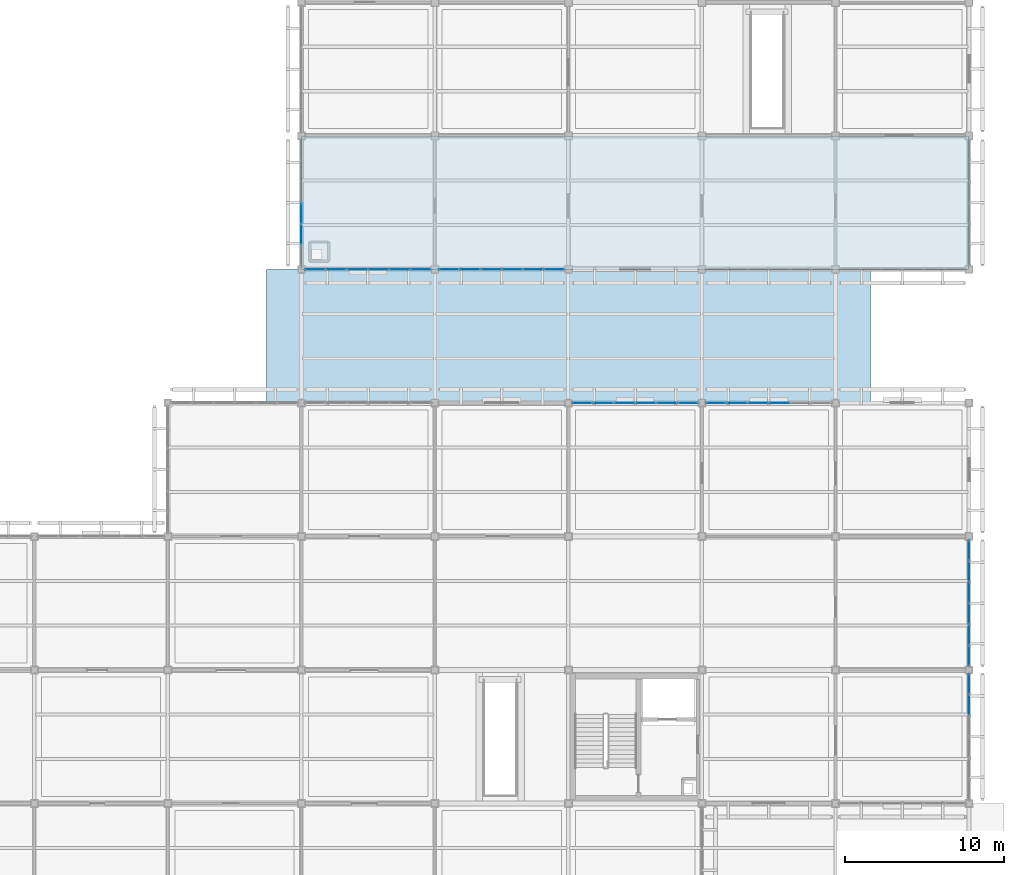
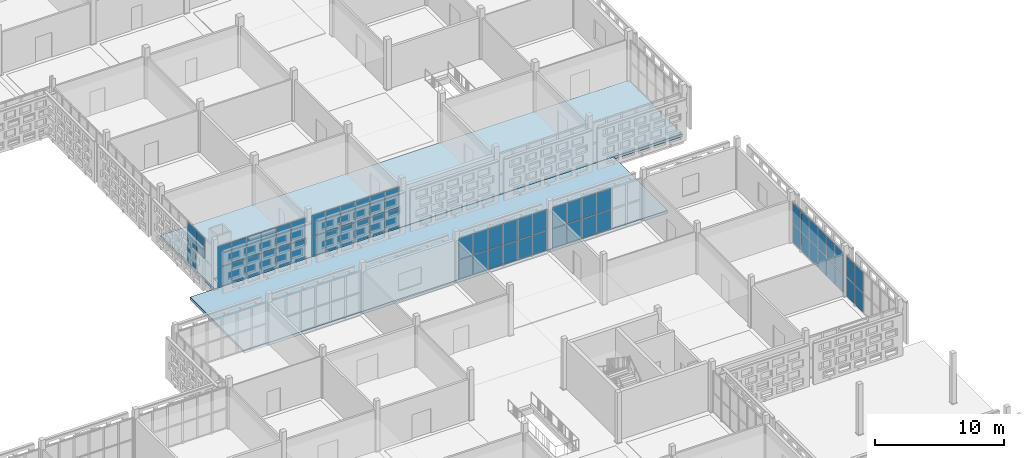
# One storey, part 104 of 203: 63 plates, 2 slabs, 7 elements without a shape of their own.
"""IFC4 building model written with IfcOpenShell, lengths in metres."""

from ifc_helpers import new_model, si_unit, direction, frame, origin, origin_2d, place, context, subcontext, project, spatial, polyline, rectangle, outline, extrude, material, layer, layer_set, type_object, element, aggregate, save


model = new_model("IFC4")

# Units and contexts
model_context = context("Model", 3, precision=1e-05, world=origin(), true_north=direction((0.0, 1.0)))
body_context = subcontext(model_context, "Body", "Model", "MODEL_VIEW")
ifc_project = project(units=[si_unit("LENGTHUNIT", "METRE"), si_unit("AREAUNIT", "SQUARE_METRE"), si_unit("VOLUMEUNIT", "CUBIC_METRE"), si_unit("PLANEANGLEUNIT", "RADIAN"), si_unit("MASSUNIT", "GRAM", prefix="KILO")], contexts=[model_context])

# Site, building, storey
site_placement = place(None, origin())
site = spatial("IfcSite", under=ifc_project, at=site_placement, CompositionType="ELEMENT")
building_placement = place(site_placement, origin())
building = spatial("IfcBuilding", under=site, at=building_placement, Name="Varnapada Polytechnic", CompositionType="ELEMENT")
storey_placement = place(building_placement, frame((0.0, 0.0, 4.800048828125)))
storey = spatial("IfcBuildingStorey", under=building, at=storey_placement, Name="L01", CompositionType="ELEMENT", Elevation=4.800048828125)

# Curtain wall, plates
ifc_material_1 = material(Name="Double low-E laminated glass", Category="glass")
ifc_layer_1 = layer(ifc_material_1, 0.159912109375)
ifc_layer_set_1 = layer_set([ifc_layer_1], Name="Double low-E laminated glass")
curtain_wall_type_1 = type_object("IfcCurtainWallType", Name="Curtain Wall CW-01", PredefinedType="NOTDEFINED", material=ifc_layer_set_1)
curtain_wall_1_placement = place(storey_placement, origin())
curtain_wall_1 = element("IfcCurtainWall", 1, at=curtain_wall_1_placement, inside=storey, type_object=curtain_wall_type_1, Name="L01 unitised curtain wall CW-01 (101)", PredefinedType="NOTDEFINED")
ifc_layer_2 = layer(ifc_material_1, 0.028076171875)
ifc_layer_set_2 = layer_set([ifc_layer_2], Name="Double low-E laminated glass")
plate_type_1 = type_object("IfcPlateType", Name="Curtain Panel PNL-01", PredefinedType="CURTAIN_PANEL", material=ifc_layer_set_2)
plate_1_placement = place(storey_placement, frame((141.899169921875, 58.800048828125, 0.06005859375), z_axis=(0.0, 0.0, 1.0), x_axis=(-1.0, 0.0, 0.0)))
plate_1 = element("IfcPlate", 2, at=plate_1_placement, type_object=plate_type_1, Name="CW-01 panel 1.1", PredefinedType="CURTAIN_PANEL", context=body_context, shape_type="SweptSolid", body=[
    extrude(rectangle(XDim=1.24169921875, YDim=0.028076171875, at=origin_2d()), origin(), (0.0, 0.0, 1.0), 1.810791015625),
])
plate_2_placement = place(storey_placement, frame((141.899169921875, 58.800048828125, 1.9306640625), z_axis=(0.0, 0.0, 1.0), x_axis=(-1.0, 0.0, 0.0)))
plate_2 = element("IfcPlate", 3, at=plate_2_placement, type_object=plate_type_1, Name="CW-01 panel 1.2", PredefinedType="CURTAIN_PANEL", context=body_context, shape_type="SweptSolid", body=[
    extrude(rectangle(XDim=1.24169921875, YDim=0.028076171875, at=origin_2d()), origin(), (0.0, 0.0, 1.0), 1.96923828125),
])
plate_3_placement = place(storey_placement, frame((140.58251953125, 58.800048828125, 0.06005859375), z_axis=(0.0, 0.0, 1.0), x_axis=(-1.0, 0.0, 0.0)))
plate_3 = element("IfcPlate", 4, at=plate_3_placement, type_object=plate_type_1, Name="CW-01 panel 2.1", PredefinedType="CURTAIN_PANEL", context=body_context, shape_type="SweptSolid", body=[
    extrude(rectangle(XDim=1.271728515625, YDim=0.028076171875, at=origin_2d()), origin(), (0.0, 0.0, 1.0), 1.810791015625),
])
plate_4_placement = place(storey_placement, frame((140.58251953125, 58.800048828125, 1.9306640625), z_axis=(0.0, 0.0, 1.0), x_axis=(-1.0, 0.0, 0.0)))
plate_4 = element("IfcPlate", 5, at=plate_4_placement, type_object=plate_type_1, Name="CW-01 panel 2.2", PredefinedType="CURTAIN_PANEL", context=body_context, shape_type="SweptSolid", body=[
    extrude(rectangle(XDim=1.271728515625, YDim=0.028076171875, at=origin_2d()), origin(), (0.0, 0.0, 1.0), 1.96923828125),
])
plate_5_placement = place(storey_placement, frame((139.250732421875, 58.800048828125, 0.06005859375), z_axis=(0.0, 0.0, 1.0), x_axis=(-1.0, 0.0, 0.0)))
plate_5 = element("IfcPlate", 6, at=plate_5_placement, type_object=plate_type_1, Name="CW-01 panel 3.1", PredefinedType="CURTAIN_PANEL", context=body_context, shape_type="SweptSolid", body=[
    extrude(rectangle(XDim=1.271728515625, YDim=0.028076171875, at=origin_2d()), origin(), (0.0, 0.0, 1.0), 1.810791015625),
])
plate_6_placement = place(storey_placement, frame((139.250732421875, 58.800048828125, 1.9306640625), z_axis=(0.0, 0.0, 1.0), x_axis=(-1.0, 0.0, 0.0)))
plate_6 = element("IfcPlate", 7, at=plate_6_placement, type_object=plate_type_1, Name="CW-01 panel 3.2", PredefinedType="CURTAIN_PANEL", context=body_context, shape_type="SweptSolid", body=[
    extrude(rectangle(XDim=1.271728515625, YDim=0.028076171875, at=origin_2d()), origin(), (0.0, 0.0, 1.0), 1.96923828125),
])
plate_7_placement = place(storey_placement, frame((137.919189453125, 58.800048828125, 0.06005859375), z_axis=(0.0, 0.0, 1.0), x_axis=(-1.0, 0.0, 0.0)))
plate_7 = element("IfcPlate", 8, at=plate_7_placement, type_object=plate_type_1, Name="CW-01 panel 4.1", PredefinedType="CURTAIN_PANEL", context=body_context, shape_type="SweptSolid", body=[
    extrude(rectangle(XDim=1.271728515625, YDim=0.028076171875, at=origin_2d()), origin(), (0.0, 0.0, 1.0), 1.810791015625),
])
plate_8_placement = place(storey_placement, frame((137.919189453125, 58.800048828125, 1.9306640625), z_axis=(0.0, 0.0, 1.0), x_axis=(-1.0, 0.0, 0.0)))
plate_8 = element("IfcPlate", 9, at=plate_8_placement, type_object=plate_type_1, Name="CW-01 panel 4.2", PredefinedType="CURTAIN_PANEL", context=body_context, shape_type="SweptSolid", body=[
    extrude(rectangle(XDim=1.271728515625, YDim=0.028076171875, at=origin_2d()), origin(), (0.0, 0.0, 1.0), 1.96923828125),
])
plate_9_placement = place(storey_placement, frame((136.58740234375, 58.800048828125, 0.06005859375), z_axis=(0.0, 0.0, 1.0), x_axis=(-1.0, 0.0, 0.0)))
plate_9 = element("IfcPlate", 10, at=plate_9_placement, type_object=plate_type_1, Name="CW-01 panel 5.1", PredefinedType="CURTAIN_PANEL", context=body_context, shape_type="SweptSolid", body=[
    extrude(rectangle(XDim=1.271728515625, YDim=0.028076171875, at=origin_2d()), origin(), (0.0, 0.0, 1.0), 1.810791015625),
])
plate_10_placement = place(storey_placement, frame((136.58740234375, 58.800048828125, 1.9306640625), z_axis=(0.0, 0.0, 1.0), x_axis=(-1.0, 0.0, 0.0)))
plate_10 = element("IfcPlate", 11, at=plate_10_placement, type_object=plate_type_1, Name="CW-01 panel 5.2", PredefinedType="CURTAIN_PANEL", context=body_context, shape_type="SweptSolid", body=[
    extrude(rectangle(XDim=1.271728515625, YDim=0.028076171875, at=origin_2d()), origin(), (0.0, 0.0, 1.0), 1.96923828125),
])
plate_11_placement = place(storey_placement, frame((135.270751953125, 58.800048828125, 0.06005859375), z_axis=(0.0, 0.0, 1.0), x_axis=(-1.0, 0.0, 0.0)))
plate_11 = element("IfcPlate", 12, at=plate_11_placement, type_object=plate_type_1, Name="CW-01 panel 6.1", PredefinedType="CURTAIN_PANEL", context=body_context, shape_type="SweptSolid", body=[
    extrude(rectangle(XDim=1.24169921875, YDim=0.028076171875, at=origin_2d()), origin(), (0.0, 0.0, 1.0), 1.810791015625),
])
plate_12_placement = place(storey_placement, frame((135.270751953125, 58.800048828125, 1.9306640625), z_axis=(0.0, 0.0, 1.0), x_axis=(-1.0, 0.0, 0.0)))
plate_12 = element("IfcPlate", 13, at=plate_12_placement, type_object=plate_type_1, Name="CW-01 panel 6.2", PredefinedType="CURTAIN_PANEL", context=body_context, shape_type="SweptSolid", body=[
    extrude(rectangle(XDim=1.24169921875, YDim=0.028076171875, at=origin_2d()), origin(), (0.0, 0.0, 1.0), 1.96923828125),
])
aggregate(curtain_wall_1, [plate_1, plate_2, plate_3, plate_4, plate_5, plate_6, plate_7, plate_8, plate_9, plate_10, plate_11, plate_12])

curtain_wall_2_placement = place(storey_placement, origin())
curtain_wall_2 = element("IfcCurtainWall", 14, at=curtain_wall_2_placement, inside=storey, type_object=curtain_wall_type_1, Name="L01 unitised curtain wall CW-01 (102)", PredefinedType="NOTDEFINED")
plate_13_placement = place(storey_placement, frame((134.39990234375, 60.989990234375, 1.9306640625), z_axis=(0.0, 0.0, 1.0), x_axis=(0.0, 1.0, 0.0)))
plate_13 = element("IfcPlate", 15, at=plate_13_placement, type_object=plate_type_1, Name="CW-01 panel 2.2", PredefinedType="CURTAIN_PANEL", context=body_context, shape_type="SweptSolid", body=[
    extrude(rectangle(XDim=1.2734375, YDim=0.028076171875, at=origin_2d()), origin(), (0.0, 0.0, 1.0), 1.96923828125),
])
plate_14_placement = place(storey_placement, frame((134.39990234375, 62.3232421875, 0.06005859375), z_axis=(0.0, 0.0, 1.0), x_axis=(0.0, 1.0, 0.0)))
plate_14 = element("IfcPlate", 16, at=plate_14_placement, type_object=plate_type_1, Name="CW-01 panel 3.1", PredefinedType="CURTAIN_PANEL", context=body_context, shape_type="SweptSolid", body=[
    extrude(rectangle(XDim=1.2734375, YDim=0.028076171875, at=origin_2d()), origin(), (0.0, 0.0, 1.0), 1.810791015625),
])
plate_15_placement = place(storey_placement, frame((134.39990234375, 62.3232421875, 1.9306640625), z_axis=(0.0, 0.0, 1.0), x_axis=(0.0, 1.0, 0.0)))
plate_15 = element("IfcPlate", 17, at=plate_15_placement, type_object=plate_type_1, Name="CW-01 panel 3.2", PredefinedType="CURTAIN_PANEL", context=body_context, shape_type="SweptSolid", body=[
    extrude(rectangle(XDim=1.2734375, YDim=0.028076171875, at=origin_2d()), origin(), (0.0, 0.0, 1.0), 1.96923828125),
])
aggregate(curtain_wall_2, [plate_13, plate_14, plate_15])

ifc_layer_3 = layer(ifc_material_1, 0.179931640625)
ifc_layer_set_3 = layer_set([ifc_layer_3], Name="Double low-E laminated glass")
curtain_wall_type_2 = type_object("IfcCurtainWallType", Name="Curtain Wall CW-04", PredefinedType="NOTDEFINED", material=ifc_layer_set_3)
curtain_wall_3_placement = place(storey_placement, origin())
curtain_wall_3 = element("IfcCurtainWall", 18, at=curtain_wall_3_placement, inside=storey, type_object=curtain_wall_type_2, Name="L01 unitised curtain wall CW-04 (107)", PredefinedType="NOTDEFINED")
ifc_layer_4 = layer(ifc_material_1, 0.031982421875)
ifc_layer_set_4 = layer_set([ifc_layer_4], Name="Double low-E laminated glass")
plate_type_2 = type_object("IfcPlateType", Name="Curtain Panel PNL-02", PredefinedType="CURTAIN_PANEL", material=ifc_layer_set_4)
plate_16_placement = place(storey_placement, frame((150.300537109375, 58.800048828125, 0.06494140625), z_axis=(0.0, 0.0, 1.0), x_axis=(-1.0, 0.0, 0.0)))
plate_16 = element("IfcPlate", 19, at=plate_16_placement, type_object=plate_type_2, Name="CW-04 panel 1.1", PredefinedType="CURTAIN_PANEL", context=body_context, shape_type="SweptSolid", body=[
    extrude(rectangle(XDim=1.229248046875, YDim=0.031982421875, at=origin_2d()), origin(), (0.0, 0.0, 1.0), 1.80322265625),
])
plate_17_placement = place(storey_placement, frame((150.300537109375, 58.800048828125, 1.93310546875), z_axis=(0.0, 0.0, 1.0), x_axis=(-1.0, 0.0, 0.0)))
plate_17 = element("IfcPlate", 20, at=plate_17_placement, type_object=plate_type_2, Name="CW-04 panel 1.2", PredefinedType="CURTAIN_PANEL", context=body_context, shape_type="SweptSolid", body=[
    extrude(rectangle(XDim=1.229248046875, YDim=0.031982421875, at=origin_2d()), origin(), (0.0, 0.0, 1.0), 1.961669921875),
])
plate_18_placement = place(storey_placement, frame((148.989990234375, 58.800048828125, 0.06494140625), z_axis=(0.0, 0.0, 1.0), x_axis=(-1.0, 0.0, 0.0)))
plate_18 = element("IfcPlate", 21, at=plate_18_placement, type_object=plate_type_2, Name="CW-04 panel 2.1", PredefinedType="CURTAIN_PANEL", context=body_context, shape_type="SweptSolid", body=[
    extrude(rectangle(XDim=1.26171875, YDim=0.031982421875, at=origin_2d()), origin(), (0.0, 0.0, 1.0), 1.80322265625),
])
plate_19_placement = place(storey_placement, frame((148.989990234375, 58.800048828125, 1.93310546875), z_axis=(0.0, 0.0, 1.0), x_axis=(-1.0, 0.0, 0.0)))
plate_19 = element("IfcPlate", 22, at=plate_19_placement, type_object=plate_type_2, Name="CW-04 panel 2.2", PredefinedType="CURTAIN_PANEL", context=body_context, shape_type="SweptSolid", body=[
    extrude(rectangle(XDim=1.26171875, YDim=0.031982421875, at=origin_2d()), origin(), (0.0, 0.0, 1.0), 1.961669921875),
])
plate_20_placement = place(storey_placement, frame((147.663330078125, 58.800048828125, 0.06494140625), z_axis=(0.0, 0.0, 1.0), x_axis=(-1.0, 0.0, 0.0)))
plate_20 = element("IfcPlate", 23, at=plate_20_placement, type_object=plate_type_2, Name="CW-04 panel 3.1", PredefinedType="CURTAIN_PANEL", context=body_context, shape_type="SweptSolid", body=[
    extrude(rectangle(XDim=1.26171875, YDim=0.031982421875, at=origin_2d()), origin(), (0.0, 0.0, 1.0), 1.80322265625),
])
plate_21_placement = place(storey_placement, frame((147.663330078125, 58.800048828125, 1.93310546875), z_axis=(0.0, 0.0, 1.0), x_axis=(-1.0, 0.0, 0.0)))
plate_21 = element("IfcPlate", 24, at=plate_21_placement, type_object=plate_type_2, Name="CW-04 panel 3.2", PredefinedType="CURTAIN_PANEL", context=body_context, shape_type="SweptSolid", body=[
    extrude(rectangle(XDim=1.26171875, YDim=0.031982421875, at=origin_2d()), origin(), (0.0, 0.0, 1.0), 1.961669921875),
])
plate_22_placement = place(storey_placement, frame((146.336669921875, 58.800048828125, 0.06494140625), z_axis=(0.0, 0.0, 1.0), x_axis=(-1.0, 0.0, 0.0)))
plate_22 = element("IfcPlate", 25, at=plate_22_placement, type_object=plate_type_2, Name="CW-04 panel 4.1", PredefinedType="CURTAIN_PANEL", context=body_context, shape_type="SweptSolid", body=[
    extrude(rectangle(XDim=1.26171875, YDim=0.031982421875, at=origin_2d()), origin(), (0.0, 0.0, 1.0), 1.80322265625),
])
plate_23_placement = place(storey_placement, frame((146.336669921875, 58.800048828125, 1.93310546875), z_axis=(0.0, 0.0, 1.0), x_axis=(-1.0, 0.0, 0.0)))
plate_23 = element("IfcPlate", 26, at=plate_23_placement, type_object=plate_type_2, Name="CW-04 panel 4.2", PredefinedType="CURTAIN_PANEL", context=body_context, shape_type="SweptSolid", body=[
    extrude(rectangle(XDim=1.26171875, YDim=0.031982421875, at=origin_2d()), origin(), (0.0, 0.0, 1.0), 1.961669921875),
])
plate_24_placement = place(storey_placement, frame((145.010009765625, 58.800048828125, 0.06494140625), z_axis=(0.0, 0.0, 1.0), x_axis=(-1.0, 0.0, 0.0)))
plate_24 = element("IfcPlate", 27, at=plate_24_placement, type_object=plate_type_2, Name="CW-04 panel 5.1", PredefinedType="CURTAIN_PANEL", context=body_context, shape_type="SweptSolid", body=[
    extrude(rectangle(XDim=1.26171875, YDim=0.031982421875, at=origin_2d()), origin(), (0.0, 0.0, 1.0), 1.80322265625),
])
plate_25_placement = place(storey_placement, frame((145.010009765625, 58.800048828125, 1.93310546875), z_axis=(0.0, 0.0, 1.0), x_axis=(-1.0, 0.0, 0.0)))
plate_25 = element("IfcPlate", 28, at=plate_25_placement, type_object=plate_type_2, Name="CW-04 panel 5.2", PredefinedType="CURTAIN_PANEL", context=body_context, shape_type="SweptSolid", body=[
    extrude(rectangle(XDim=1.26171875, YDim=0.031982421875, at=origin_2d()), origin(), (0.0, 0.0, 1.0), 1.961669921875),
])
plate_26_placement = place(storey_placement, frame((143.699462890625, 58.800048828125, 0.06494140625), z_axis=(0.0, 0.0, 1.0), x_axis=(-1.0, 0.0, 0.0)))
plate_26 = element("IfcPlate", 29, at=plate_26_placement, type_object=plate_type_2, Name="CW-04 panel 6.1", PredefinedType="CURTAIN_PANEL", context=body_context, shape_type="SweptSolid", body=[
    extrude(rectangle(XDim=1.229248046875, YDim=0.031982421875, at=origin_2d()), origin(), (0.0, 0.0, 1.0), 1.80322265625),
])
plate_27_placement = place(storey_placement, frame((143.699462890625, 58.800048828125, 1.93310546875), z_axis=(0.0, 0.0, 1.0), x_axis=(-1.0, 0.0, 0.0)))
plate_27 = element("IfcPlate", 30, at=plate_27_placement, type_object=plate_type_2, Name="CW-04 panel 6.2", PredefinedType="CURTAIN_PANEL", context=body_context, shape_type="SweptSolid", body=[
    extrude(rectangle(XDim=1.229248046875, YDim=0.031982421875, at=origin_2d()), origin(), (0.0, 0.0, 1.0), 1.961669921875),
])
aggregate(curtain_wall_3, [plate_16, plate_17, plate_18, plate_19, plate_20, plate_21, plate_22, plate_23, plate_24, plate_25, plate_26, plate_27])

curtain_wall_4_placement = place(storey_placement, origin())
curtain_wall_4 = element("IfcCurtainWall", 31, at=curtain_wall_4_placement, inside=storey, type_object=curtain_wall_type_2, Name="L01 unitised curtain wall CW-04 (111)", PredefinedType="NOTDEFINED")
plate_28_placement = place(storey_placement, frame((152.07373046875, 50.39990234375, 0.06494140625), z_axis=(0.0, 0.0, 1.0), x_axis=(1.0, 0.0, 0.0)))
plate_28 = element("IfcPlate", 32, at=plate_28_placement, type_object=plate_type_2, Name="CW-04 panel 1.1", PredefinedType="CURTAIN_PANEL", context=body_context, shape_type="SweptSolid", body=[
    extrude(rectangle(XDim=1.237548828125, YDim=0.031982421875, at=origin_2d()), origin(), (0.0, 0.0, 1.0), 1.80322265625),
])
plate_29_placement = place(storey_placement, frame((152.07373046875, 50.39990234375, 1.93310546875), z_axis=(0.0, 0.0, 1.0), x_axis=(1.0, 0.0, 0.0)))
plate_29 = element("IfcPlate", 33, at=plate_29_placement, type_object=plate_type_2, Name="CW-04 panel 1.2", PredefinedType="CURTAIN_PANEL", context=body_context, shape_type="SweptSolid", body=[
    extrude(rectangle(XDim=1.237548828125, YDim=0.031982421875, at=origin_2d()), origin(), (0.0, 0.0, 1.0), 1.961669921875),
])
plate_30_placement = place(storey_placement, frame((153.392578125, 50.39990234375, 0.06494140625), z_axis=(0.0, 0.0, 1.0), x_axis=(1.0, 0.0, 0.0)))
plate_30 = element("IfcPlate", 34, at=plate_30_placement, type_object=plate_type_2, Name="CW-04 panel 2.1", PredefinedType="CURTAIN_PANEL", context=body_context, shape_type="SweptSolid", body=[
    extrude(rectangle(XDim=1.27001953125, YDim=0.031982421875, at=origin_2d()), origin(), (0.0, 0.0, 1.0), 1.80322265625),
])
plate_31_placement = place(storey_placement, frame((153.392578125, 50.39990234375, 1.93310546875), z_axis=(0.0, 0.0, 1.0), x_axis=(1.0, 0.0, 0.0)))
plate_31 = element("IfcPlate", 35, at=plate_31_placement, type_object=plate_type_2, Name="CW-04 panel 2.2", PredefinedType="CURTAIN_PANEL", context=body_context, shape_type="SweptSolid", body=[
    extrude(rectangle(XDim=1.27001953125, YDim=0.031982421875, at=origin_2d()), origin(), (0.0, 0.0, 1.0), 1.961669921875),
])
plate_32_placement = place(storey_placement, frame((154.7275390625, 50.39990234375, 0.06494140625), z_axis=(0.0, 0.0, 1.0), x_axis=(1.0, 0.0, 0.0)))
plate_32 = element("IfcPlate", 36, at=plate_32_placement, type_object=plate_type_2, Name="CW-04 panel 3.1", PredefinedType="CURTAIN_PANEL", context=body_context, shape_type="SweptSolid", body=[
    extrude(rectangle(XDim=1.27001953125, YDim=0.031982421875, at=origin_2d()), origin(), (0.0, 0.0, 1.0), 1.80322265625),
])
plate_33_placement = place(storey_placement, frame((154.7275390625, 50.39990234375, 1.93310546875), z_axis=(0.0, 0.0, 1.0), x_axis=(1.0, 0.0, 0.0)))
plate_33 = element("IfcPlate", 37, at=plate_33_placement, type_object=plate_type_2, Name="CW-04 panel 3.2", PredefinedType="CURTAIN_PANEL", context=body_context, shape_type="SweptSolid", body=[
    extrude(rectangle(XDim=1.27001953125, YDim=0.031982421875, at=origin_2d()), origin(), (0.0, 0.0, 1.0), 1.961669921875),
])
plate_34_placement = place(storey_placement, frame((156.0625, 50.39990234375, 0.06494140625), z_axis=(0.0, 0.0, 1.0), x_axis=(1.0, 0.0, 0.0)))
plate_34 = element("IfcPlate", 38, at=plate_34_placement, type_object=plate_type_2, Name="CW-04 panel 4.1", PredefinedType="CURTAIN_PANEL", context=body_context, shape_type="SweptSolid", body=[
    extrude(rectangle(XDim=1.27001953125, YDim=0.031982421875, at=origin_2d()), origin(), (0.0, 0.0, 1.0), 1.80322265625),
])
plate_35_placement = place(storey_placement, frame((156.0625, 50.39990234375, 1.93310546875), z_axis=(0.0, 0.0, 1.0), x_axis=(1.0, 0.0, 0.0)))
plate_35 = element("IfcPlate", 39, at=plate_35_placement, type_object=plate_type_2, Name="CW-04 panel 4.2", PredefinedType="CURTAIN_PANEL", context=body_context, shape_type="SweptSolid", body=[
    extrude(rectangle(XDim=1.27001953125, YDim=0.031982421875, at=origin_2d()), origin(), (0.0, 0.0, 1.0), 1.961669921875),
])
plate_36_placement = place(storey_placement, frame((157.3974609375, 50.39990234375, 0.06494140625), z_axis=(0.0, 0.0, 1.0), x_axis=(1.0, 0.0, 0.0)))
plate_36 = element("IfcPlate", 40, at=plate_36_placement, type_object=plate_type_2, Name="CW-04 panel 5.1", PredefinedType="CURTAIN_PANEL", context=body_context, shape_type="SweptSolid", body=[
    extrude(rectangle(XDim=1.27001953125, YDim=0.031982421875, at=origin_2d()), origin(), (0.0, 0.0, 1.0), 1.80322265625),
])
plate_37_placement = place(storey_placement, frame((157.3974609375, 50.39990234375, 1.93310546875), z_axis=(0.0, 0.0, 1.0), x_axis=(1.0, 0.0, 0.0)))
plate_37 = element("IfcPlate", 41, at=plate_37_placement, type_object=plate_type_2, Name="CW-04 panel 5.2", PredefinedType="CURTAIN_PANEL", context=body_context, shape_type="SweptSolid", body=[
    extrude(rectangle(XDim=1.27001953125, YDim=0.031982421875, at=origin_2d()), origin(), (0.0, 0.0, 1.0), 1.961669921875),
])
plate_38_placement = place(storey_placement, frame((158.71630859375, 50.39990234375, 0.06494140625), z_axis=(0.0, 0.0, 1.0), x_axis=(1.0, 0.0, 0.0)))
plate_38 = element("IfcPlate", 42, at=plate_38_placement, type_object=plate_type_2, Name="CW-04 panel 6.1", PredefinedType="CURTAIN_PANEL", context=body_context, shape_type="SweptSolid", body=[
    extrude(rectangle(XDim=1.237548828125, YDim=0.031982421875, at=origin_2d()), origin(), (0.0, 0.0, 1.0), 1.80322265625),
])
plate_39_placement = place(storey_placement, frame((158.71630859375, 50.39990234375, 1.93310546875), z_axis=(0.0, 0.0, 1.0), x_axis=(1.0, 0.0, 0.0)))
plate_39 = element("IfcPlate", 43, at=plate_39_placement, type_object=plate_type_2, Name="CW-04 panel 6.2", PredefinedType="CURTAIN_PANEL", context=body_context, shape_type="SweptSolid", body=[
    extrude(rectangle(XDim=1.237548828125, YDim=0.031982421875, at=origin_2d()), origin(), (0.0, 0.0, 1.0), 1.961669921875),
])
aggregate(curtain_wall_4, [plate_28, plate_29, plate_30, plate_31, plate_32, plate_33, plate_34, plate_35, plate_36, plate_37, plate_38, plate_39])

curtain_wall_5_placement = place(storey_placement, origin())
curtain_wall_5 = element("IfcCurtainWall", 44, at=curtain_wall_5_placement, inside=storey, type_object=curtain_wall_type_2, Name="L01 unitised curtain wall CW-04 (112)", PredefinedType="NOTDEFINED")
plate_40_placement = place(storey_placement, frame((160.483642578125, 50.39990234375, 0.06494140625), z_axis=(0.0, 0.0, 1.0), x_axis=(1.0, 0.0, 0.0)))
plate_40 = element("IfcPlate", 45, at=plate_40_placement, type_object=plate_type_2, Name="CW-04 panel 1.1", PredefinedType="CURTAIN_PANEL", context=body_context, shape_type="SweptSolid", body=[
    extrude(rectangle(XDim=1.237548828125, YDim=0.031982421875, at=origin_2d()), origin(), (0.0, 0.0, 1.0), 1.80322265625),
])
plate_41_placement = place(storey_placement, frame((160.483642578125, 50.39990234375, 1.93310546875), z_axis=(0.0, 0.0, 1.0), x_axis=(1.0, 0.0, 0.0)))
plate_41 = element("IfcPlate", 46, at=plate_41_placement, type_object=plate_type_2, Name="CW-04 panel 1.2", PredefinedType="CURTAIN_PANEL", context=body_context, shape_type="SweptSolid", body=[
    extrude(rectangle(XDim=1.237548828125, YDim=0.031982421875, at=origin_2d()), origin(), (0.0, 0.0, 1.0), 1.961669921875),
])
plate_42_placement = place(storey_placement, frame((161.802490234375, 50.39990234375, 0.06494140625), z_axis=(0.0, 0.0, 1.0), x_axis=(1.0, 0.0, 0.0)))
plate_42 = element("IfcPlate", 47, at=plate_42_placement, type_object=plate_type_2, Name="CW-04 panel 2.1", PredefinedType="CURTAIN_PANEL", context=body_context, shape_type="SweptSolid", body=[
    extrude(rectangle(XDim=1.27001953125, YDim=0.031982421875, at=origin_2d()), origin(), (0.0, 0.0, 1.0), 1.80322265625),
])
plate_43_placement = place(storey_placement, frame((161.802490234375, 50.39990234375, 1.93310546875), z_axis=(0.0, 0.0, 1.0), x_axis=(1.0, 0.0, 0.0)))
plate_43 = element("IfcPlate", 48, at=plate_43_placement, type_object=plate_type_2, Name="CW-04 panel 2.2", PredefinedType="CURTAIN_PANEL", context=body_context, shape_type="SweptSolid", body=[
    extrude(rectangle(XDim=1.27001953125, YDim=0.031982421875, at=origin_2d()), origin(), (0.0, 0.0, 1.0), 1.961669921875),
])
plate_44_placement = place(storey_placement, frame((163.137451171875, 50.39990234375, 0.06494140625), z_axis=(0.0, 0.0, 1.0), x_axis=(1.0, 0.0, 0.0)))
plate_44 = element("IfcPlate", 49, at=plate_44_placement, type_object=plate_type_2, Name="CW-04 panel 3.1", PredefinedType="CURTAIN_PANEL", context=body_context, shape_type="SweptSolid", body=[
    extrude(rectangle(XDim=1.27001953125, YDim=0.031982421875, at=origin_2d()), origin(), (0.0, 0.0, 1.0), 1.80322265625),
])
plate_45_placement = place(storey_placement, frame((163.137451171875, 50.39990234375, 1.93310546875), z_axis=(0.0, 0.0, 1.0), x_axis=(1.0, 0.0, 0.0)))
plate_45 = element("IfcPlate", 50, at=plate_45_placement, type_object=plate_type_2, Name="CW-04 panel 3.2", PredefinedType="CURTAIN_PANEL", context=body_context, shape_type="SweptSolid", body=[
    extrude(rectangle(XDim=1.27001953125, YDim=0.031982421875, at=origin_2d()), origin(), (0.0, 0.0, 1.0), 1.961669921875),
])
plate_46_placement = place(storey_placement, frame((164.472412109375, 50.39990234375, 0.06494140625), z_axis=(0.0, 0.0, 1.0), x_axis=(1.0, 0.0, 0.0)))
plate_46 = element("IfcPlate", 51, at=plate_46_placement, type_object=plate_type_2, Name="CW-04 panel 4.1", PredefinedType="CURTAIN_PANEL", context=body_context, shape_type="SweptSolid", body=[
    extrude(rectangle(XDim=1.27001953125, YDim=0.031982421875, at=origin_2d()), origin(), (0.0, 0.0, 1.0), 1.80322265625),
])
plate_47_placement = place(storey_placement, frame((164.472412109375, 50.39990234375, 1.93310546875), z_axis=(0.0, 0.0, 1.0), x_axis=(1.0, 0.0, 0.0)))
plate_47 = element("IfcPlate", 52, at=plate_47_placement, type_object=plate_type_2, Name="CW-04 panel 4.2", PredefinedType="CURTAIN_PANEL", context=body_context, shape_type="SweptSolid", body=[
    extrude(rectangle(XDim=1.27001953125, YDim=0.031982421875, at=origin_2d()), origin(), (0.0, 0.0, 1.0), 1.961669921875),
])
aggregate(curtain_wall_5, [plate_40, plate_41, plate_42, plate_43, plate_44, plate_45, plate_46, plate_47])

curtain_wall_6_placement = place(storey_placement, origin())
curtain_wall_6 = element("IfcCurtainWall", 53, at=curtain_wall_6_placement, inside=storey, type_object=curtain_wall_type_2, Name="L01 unitised curtain wall CW-04 (119)", PredefinedType="NOTDEFINED")
plate_48_placement = place(storey_placement, frame((176.39990234375, 32.717041015625, 0.06494140625), z_axis=(0.0, 0.0, 1.0), x_axis=(0.0, -1.0, 0.0)))
plate_48 = element("IfcPlate", 54, at=plate_48_placement, type_object=plate_type_2, Name="CW-04 panel 1.1", PredefinedType="CURTAIN_PANEL", context=body_context, shape_type="SweptSolid", body=[
    extrude(rectangle(XDim=1.23583984375, YDim=0.031982421875, at=origin_2d()), origin(), (0.0, 0.0, 1.0), 1.80322265625),
])
plate_49_placement = place(storey_placement, frame((176.39990234375, 32.717041015625, 1.93310546875), z_axis=(0.0, 0.0, 1.0), x_axis=(0.0, -1.0, 0.0)))
plate_49 = element("IfcPlate", 55, at=plate_49_placement, type_object=plate_type_2, Name="CW-04 panel 1.2", PredefinedType="CURTAIN_PANEL", context=body_context, shape_type="SweptSolid", body=[
    extrude(rectangle(XDim=1.23583984375, YDim=0.031982421875, at=origin_2d()), origin(), (0.0, 0.0, 1.0), 1.961669921875),
])
plate_50_placement = place(storey_placement, frame((176.39990234375, 31.39990234375, 0.06494140625), z_axis=(0.0, 0.0, 1.0), x_axis=(0.0, -1.0, 0.0)))
plate_50 = element("IfcPlate", 56, at=plate_50_placement, type_object=plate_type_2, Name="CW-04 panel 2.1", PredefinedType="CURTAIN_PANEL", context=body_context, shape_type="SweptSolid", body=[
    extrude(rectangle(XDim=1.268310546875, YDim=0.031982421875, at=origin_2d()), origin(), (0.0, 0.0, 1.0), 1.80322265625),
])
plate_51_placement = place(storey_placement, frame((176.39990234375, 31.39990234375, 1.93310546875), z_axis=(0.0, 0.0, 1.0), x_axis=(0.0, -1.0, 0.0)))
plate_51 = element("IfcPlate", 57, at=plate_51_placement, type_object=plate_type_2, Name="CW-04 panel 2.2", PredefinedType="CURTAIN_PANEL", context=body_context, shape_type="SweptSolid", body=[
    extrude(rectangle(XDim=1.268310546875, YDim=0.031982421875, at=origin_2d()), origin(), (0.0, 0.0, 1.0), 1.961669921875),
])
aggregate(curtain_wall_6, [plate_48, plate_49, plate_50, plate_51])

curtain_wall_7_placement = place(storey_placement, origin())
curtain_wall_7 = element("IfcCurtainWall", 58, at=curtain_wall_7_placement, inside=storey, type_object=curtain_wall_type_2, Name="L01 unitised curtain wall CW-04 (120)", PredefinedType="NOTDEFINED")
plate_52_placement = place(storey_placement, frame((176.39990234375, 41.1171875, 0.06494140625), z_axis=(0.0, 0.0, 1.0), x_axis=(0.0, -1.0, 0.0)))
plate_52 = element("IfcPlate", 59, at=plate_52_placement, type_object=plate_type_2, Name="CW-04 panel 1.1", PredefinedType="CURTAIN_PANEL", context=body_context, shape_type="SweptSolid", body=[
    extrude(rectangle(XDim=1.23583984375, YDim=0.031982421875, at=origin_2d()), origin(), (0.0, 0.0, 1.0), 1.80322265625),
])
plate_53_placement = place(storey_placement, frame((176.39990234375, 41.1171875, 1.93310546875), z_axis=(0.0, 0.0, 1.0), x_axis=(0.0, -1.0, 0.0)))
plate_53 = element("IfcPlate", 60, at=plate_53_placement, type_object=plate_type_2, Name="CW-04 panel 1.2", PredefinedType="CURTAIN_PANEL", context=body_context, shape_type="SweptSolid", body=[
    extrude(rectangle(XDim=1.23583984375, YDim=0.031982421875, at=origin_2d()), origin(), (0.0, 0.0, 1.0), 1.961669921875),
])
plate_54_placement = place(storey_placement, frame((176.39990234375, 39.800048828125, 0.06494140625), z_axis=(0.0, 0.0, 1.0), x_axis=(0.0, -1.0, 0.0)))
plate_54 = element("IfcPlate", 61, at=plate_54_placement, type_object=plate_type_2, Name="CW-04 panel 2.1", PredefinedType="CURTAIN_PANEL", context=body_context, shape_type="SweptSolid", body=[
    extrude(rectangle(XDim=1.268310546875, YDim=0.031982421875, at=origin_2d()), origin(), (0.0, 0.0, 1.0), 1.80322265625),
])
plate_55_placement = place(storey_placement, frame((176.39990234375, 39.800048828125, 1.93310546875), z_axis=(0.0, 0.0, 1.0), x_axis=(0.0, -1.0, 0.0)))
plate_55 = element("IfcPlate", 62, at=plate_55_placement, type_object=plate_type_2, Name="CW-04 panel 2.2", PredefinedType="CURTAIN_PANEL", context=body_context, shape_type="SweptSolid", body=[
    extrude(rectangle(XDim=1.268310546875, YDim=0.031982421875, at=origin_2d()), origin(), (0.0, 0.0, 1.0), 1.961669921875),
])
plate_56_placement = place(storey_placement, frame((176.39990234375, 38.466552734375, 0.06494140625), z_axis=(0.0, 0.0, 1.0), x_axis=(0.0, -1.0, 0.0)))
plate_56 = element("IfcPlate", 63, at=plate_56_placement, type_object=plate_type_2, Name="CW-04 panel 3.1", PredefinedType="CURTAIN_PANEL", context=body_context, shape_type="SweptSolid", body=[
    extrude(rectangle(XDim=1.268310546875, YDim=0.031982421875, at=origin_2d()), origin(), (0.0, 0.0, 1.0), 1.80322265625),
])
plate_57_placement = place(storey_placement, frame((176.39990234375, 38.466552734375, 1.93310546875), z_axis=(0.0, 0.0, 1.0), x_axis=(0.0, -1.0, 0.0)))
plate_57 = element("IfcPlate", 64, at=plate_57_placement, type_object=plate_type_2, Name="CW-04 panel 3.2", PredefinedType="CURTAIN_PANEL", context=body_context, shape_type="SweptSolid", body=[
    extrude(rectangle(XDim=1.268310546875, YDim=0.031982421875, at=origin_2d()), origin(), (0.0, 0.0, 1.0), 1.961669921875),
])
plate_58_placement = place(storey_placement, frame((176.39990234375, 37.13330078125, 0.06494140625), z_axis=(0.0, 0.0, 1.0), x_axis=(0.0, -1.0, 0.0)))
plate_58 = element("IfcPlate", 65, at=plate_58_placement, type_object=plate_type_2, Name="CW-04 panel 4.1", PredefinedType="CURTAIN_PANEL", context=body_context, shape_type="SweptSolid", body=[
    extrude(rectangle(XDim=1.268310546875, YDim=0.031982421875, at=origin_2d()), origin(), (0.0, 0.0, 1.0), 1.80322265625),
])
plate_59_placement = place(storey_placement, frame((176.39990234375, 37.13330078125, 1.93310546875), z_axis=(0.0, 0.0, 1.0), x_axis=(0.0, -1.0, 0.0)))
plate_59 = element("IfcPlate", 66, at=plate_59_placement, type_object=plate_type_2, Name="CW-04 panel 4.2", PredefinedType="CURTAIN_PANEL", context=body_context, shape_type="SweptSolid", body=[
    extrude(rectangle(XDim=1.268310546875, YDim=0.031982421875, at=origin_2d()), origin(), (0.0, 0.0, 1.0), 1.961669921875),
])
plate_60_placement = place(storey_placement, frame((176.39990234375, 35.800048828125, 0.06494140625), z_axis=(0.0, 0.0, 1.0), x_axis=(0.0, -1.0, 0.0)))
plate_60 = element("IfcPlate", 67, at=plate_60_placement, type_object=plate_type_2, Name="CW-04 panel 5.1", PredefinedType="CURTAIN_PANEL", context=body_context, shape_type="SweptSolid", body=[
    extrude(rectangle(XDim=1.268310546875, YDim=0.031982421875, at=origin_2d()), origin(), (0.0, 0.0, 1.0), 1.80322265625),
])
plate_61_placement = place(storey_placement, frame((176.39990234375, 35.800048828125, 1.93310546875), z_axis=(0.0, 0.0, 1.0), x_axis=(0.0, -1.0, 0.0)))
plate_61 = element("IfcPlate", 68, at=plate_61_placement, type_object=plate_type_2, Name="CW-04 panel 5.2", PredefinedType="CURTAIN_PANEL", context=body_context, shape_type="SweptSolid", body=[
    extrude(rectangle(XDim=1.268310546875, YDim=0.031982421875, at=origin_2d()), origin(), (0.0, 0.0, 1.0), 1.961669921875),
])
plate_62_placement = place(storey_placement, frame((176.39990234375, 34.48291015625, 0.06494140625), z_axis=(0.0, 0.0, 1.0), x_axis=(0.0, -1.0, 0.0)))
plate_62 = element("IfcPlate", 69, at=plate_62_placement, type_object=plate_type_2, Name="CW-04 panel 6.1", PredefinedType="CURTAIN_PANEL", context=body_context, shape_type="SweptSolid", body=[
    extrude(rectangle(XDim=1.23583984375, YDim=0.031982421875, at=origin_2d()), origin(), (0.0, 0.0, 1.0), 1.80322265625),
])
plate_63_placement = place(storey_placement, frame((176.39990234375, 34.48291015625, 1.93310546875), z_axis=(0.0, 0.0, 1.0), x_axis=(0.0, -1.0, 0.0)))
plate_63 = element("IfcPlate", 70, at=plate_63_placement, type_object=plate_type_2, Name="CW-04 panel 6.2", PredefinedType="CURTAIN_PANEL", context=body_context, shape_type="SweptSolid", body=[
    extrude(rectangle(XDim=1.23583984375, YDim=0.031982421875, at=origin_2d()), origin(), (0.0, 0.0, 1.0), 1.961669921875),
])
aggregate(curtain_wall_7, [plate_52, plate_53, plate_54, plate_55, plate_56, plate_57, plate_58, plate_59, plate_60, plate_61, plate_62, plate_63])

# Slabs
ifc_material_2 = material(Name="Cross-laminated timber CLT C24", Category="wood")
ifc_layer_5 = layer(ifc_material_2, 0.25)
ifc_layer_set_5 = layer_set([ifc_layer_5], Name="Cross-laminated timber CLT C24")
slab_type_1 = type_object("IfcSlabType", Name="L01/L02 library & union CLT composite slab SL-05", PredefinedType="FLOOR", material=ifc_layer_set_5)
slab_1_placement = place(storey_placement, frame((0.0, 0.0, -0.25)))
element("IfcSlab", 71, at=slab_1_placement, inside=storey, type_object=slab_type_1, Name="L01 V5 slab 4.1", PredefinedType="FLOOR", context=body_context, shape_type="SweptSolid", body=[
    extrude(outline(polyline([(134.39990234375, 67.199951171875), (142.800048828125, 67.199951171875), (151.199951171875, 67.199951171875), (159.60009765625, 67.199951171875), (168.0, 67.199951171875), (176.39990234375, 67.199951171875), (176.39990234375, 58.800048828125), (168.0, 58.800048828125), (159.60009765625, 58.800048828125), (151.199951171875, 58.800048828125), (142.800048828125, 58.800048828125), (134.39990234375, 58.800048828125), (134.39990234375, 67.199951171875)]), holes=[polyline([(135.050048828125, 59.449951171875), (135.64990234375, 59.449951171875), (135.64990234375, 60.050048828125), (135.050048828125, 60.050048828125), (135.050048828125, 59.449951171875)])]), origin(), (0.0, 0.0, 1.0), 0.25),
])
ifc_material_3 = material(Name="Concrete C40/50", Category="concrete")
ifc_layer_6 = layer(ifc_material_3, 0.27001953125)
ifc_layer_set_6 = layer_set([ifc_layer_6], Name="Concrete C40/50")
slab_type_2 = type_object("IfcSlabType", Name="Overhanging tropical eave roof slab RS-07", PredefinedType="ROOF", material=ifc_layer_set_6)
slab_2_placement = place(storey_placement, frame((0.0, 0.0, -0.27001953125)))
element("IfcSlab", 72, at=slab_2_placement, inside=storey, type_object=slab_type_2, Name="L01 overhanging eave roof slab 2", PredefinedType="ROOF", context=body_context, shape_type="SweptSolid", body=[
    extrude(outline(polyline([(132.199951171875, 58.800048828125), (134.3798828125, 58.800048828125), (134.39990234375, 58.780029296875), (170.199951171875, 58.780029296875), (170.199951171875, 50.419921875), (132.199951171875, 50.419921875), (132.199951171875, 58.800048828125)])), origin(), (0.0, 0.0, 1.0), 0.27001953125),
])

save(model, "model.ifc")
